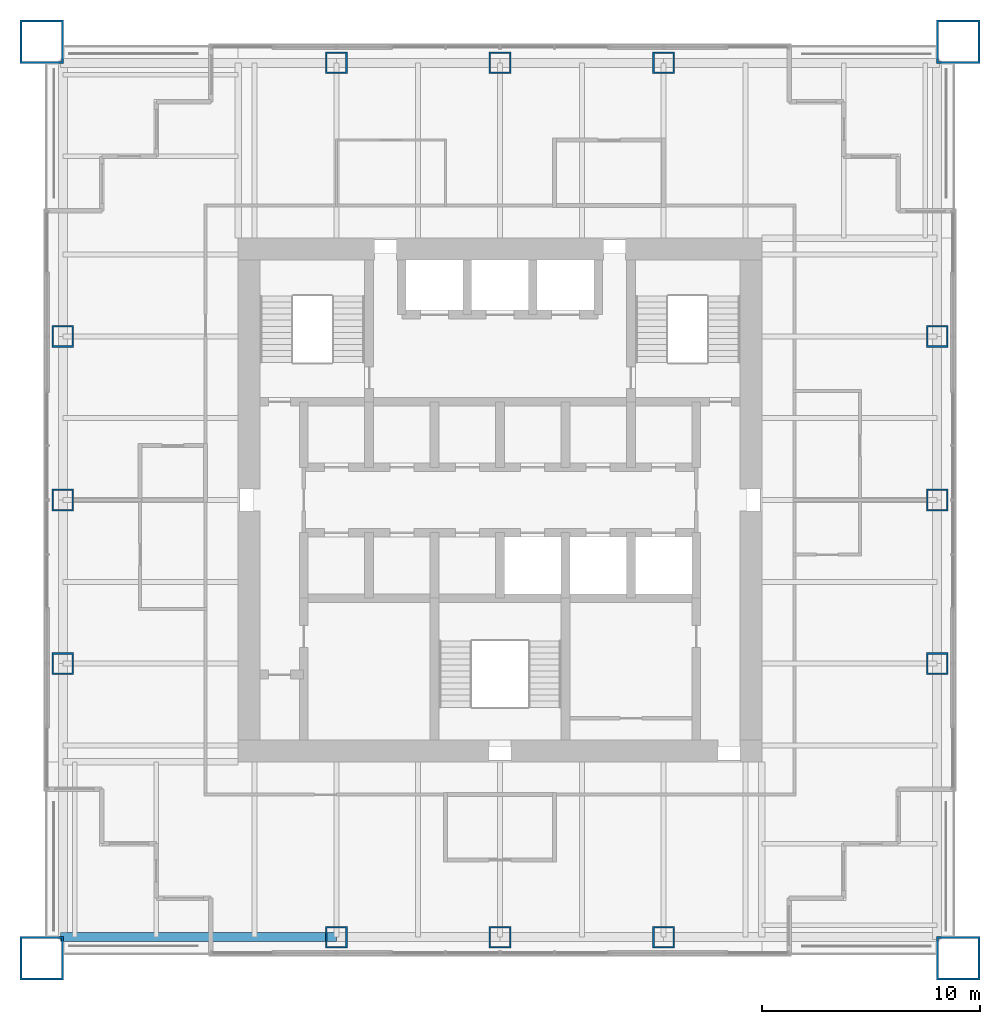
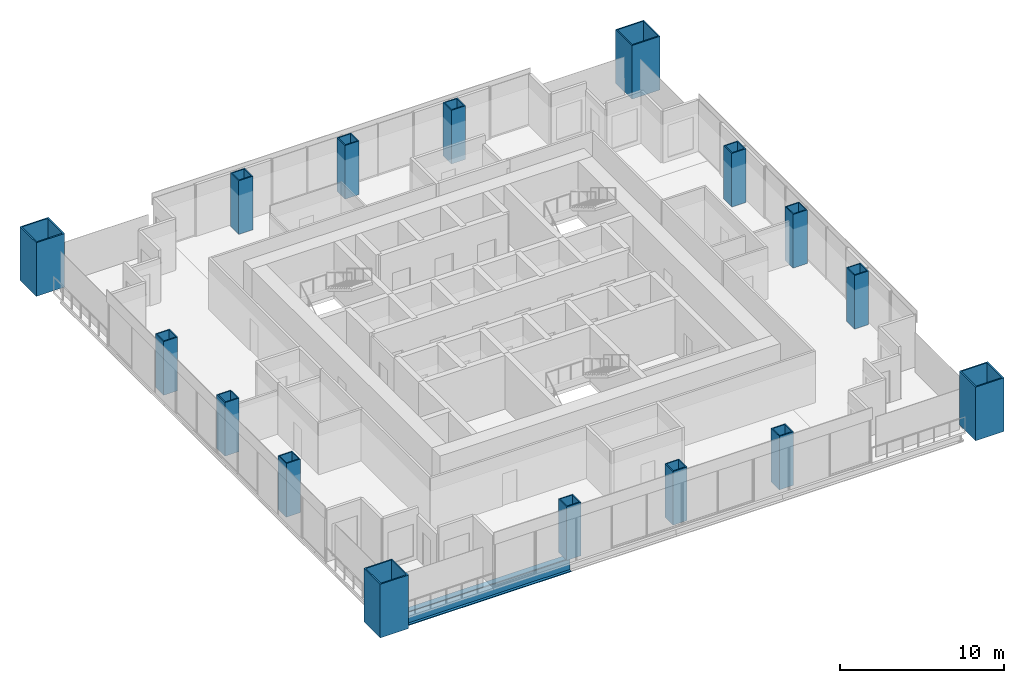
# One storey, part 1 of 14: 16 columns, 1 beam.
"""IFC4 building model written with IfcOpenShell, lengths in metres."""

import ifcopenshell
import ifcopenshell.guid

model = None  # the IFC model being written
_history = None  # IfcOwnerHistory: only IFC2X3 demands one
_inside = {}  # id of a spatial element -> (the spatial element, [elements in it])
_under = {}  # id of a project, library or spatial element -> (it, [spatial elements below it])
_declared = {}  # id of a project -> (the project, [libraries it declares])
_typed = {}  # id of a type object -> (the type object, [elements of that type])
_made_of = {}  # id of a material, layer set ... -> (it, [elements and type objects made of it])


def new_model(schema):
    """Start an empty IFC model of exactly this schema.

    Asked for "IFC4X3", IfcOpenShell would pick the latest addendum, in which some entities
    have other attributes; the version numbers below select the first issue.
    IFC2X3 requires an IfcOwnerHistory on every rooted entity: one is made here for all.
    """
    global model, _history
    if schema == "IFC4X3":
        model = ifcopenshell.file(schema_version=(4, 3, 0, 0))
    else:
        model = ifcopenshell.file(schema=schema)
    _inside.clear()
    _under.clear()
    _declared.clear()
    _typed.clear()
    _made_of.clear()
    _history = None
    if model.schema == "IFC2X3":
        org = make("IfcOrganization", Name="unknown")
        user = make(
            "IfcPersonAndOrganization",
            ThePerson=make("IfcPerson", FamilyName="unknown"),
            TheOrganization=org,
        )
        app = make(
            "IfcApplication",
            ApplicationDeveloper=org,
            Version="unknown",
            ApplicationFullName="unknown",
            ApplicationIdentifier="unknown",
        )
        _history = make(
            "IfcOwnerHistory",
            OwningUser=user,
            OwningApplication=app,
            ChangeAction="ADDED",
            CreationDate=0,
        )
    return model


def make(cls, **values):
    """One entity of the class cls with the attributes given. An attribute that is None is left unset."""
    return model.create_entity(
        cls, **{name: value for name, value in values.items() if value is not None}
    )


def rooted(cls, **values):
    """An entity with a GlobalId (a new one), such as an element, a storey or a relation."""
    return make(cls, GlobalId=ifcopenshell.guid.new(), OwnerHistory=_history, **values)


def si_unit(unit_type, name, prefix=None):
    """IfcSIUnit, for example si_unit("LENGTHUNIT", "METRE", prefix="MILLI")."""
    return make("IfcSIUnit", UnitType=unit_type, Prefix=prefix, Name=name)


def assignment(units):
    """IfcUnitAssignment: the units of a project."""
    return None if units is None else make("IfcUnitAssignment", Units=units)


def point(xyz):
    """IfcCartesianPoint."""
    return None if xyz is None else make("IfcCartesianPoint", Coordinates=xyz)


def direction(xyz):
    """IfcDirection."""
    return None if xyz is None else make("IfcDirection", DirectionRatios=xyz)


def frame(location, z_axis=None, x_axis=None):
    """IfcAxis2Placement3D, a coordinate frame: its origin and axes. An axis left out is left unset."""
    return make(
        "IfcAxis2Placement3D",
        Location=point(location),
        Axis=direction(z_axis),
        RefDirection=direction(x_axis),
    )


def frame_2d(location, x_axis=None):
    """IfcAxis2Placement2D, a coordinate frame in the plane: its origin and x axis."""
    return make(
        "IfcAxis2Placement2D", Location=point(location), RefDirection=direction(x_axis)
    )


def origin():
    """The frame at (0, 0, 0) with its axes left unset."""
    return frame((0.0, 0.0, 0.0))


def origin_2d():
    """The frame at (0, 0) in the plane with its x axis left unset."""
    return frame_2d((0.0, 0.0))


def place(relative_to, where):
    """IfcLocalPlacement: puts the frame where relative to a parent placement (None: the world)."""
    return make(
        "IfcLocalPlacement", PlacementRelTo=relative_to, RelativePlacement=where
    )


def context(
    kind, dimensions, precision=None, world=None, true_north=None, identifier=None
):
    """IfcGeometricRepresentationContext, for example the 3D "Model" context."""
    return make(
        "IfcGeometricRepresentationContext",
        ContextIdentifier=identifier,
        ContextType=kind,
        CoordinateSpaceDimension=dimensions,
        Precision=precision,
        WorldCoordinateSystem=world,
        TrueNorth=true_north,
    )


def subcontext(parent, identifier, kind, view, scale=None):
    """IfcGeometricRepresentationSubContext, for example "Body" below "Model"."""
    return make(
        "IfcGeometricRepresentationSubContext",
        ContextIdentifier=identifier,
        ContextType=kind,
        ParentContext=parent,
        TargetScale=scale,
        TargetView=view,
    )


def project(units=None, contexts=None):
    """IfcProject with its units and contexts."""
    return rooted(
        "IfcProject",
        Name="project",
        RepresentationContexts=contexts,
        UnitsInContext=assignment(units),
    )


def spatial(cls, under=None, at=None, **own):
    """A site, building, storey or space (cls), placed at a placement, below another one or the project."""
    s = rooted(cls, ObjectPlacement=at, **own)
    if under is not None:
        _under.setdefault(under.id(), (under, []))[1].append(s)
    return s


def profile(cls, at=None, kind="AREA", **sizes):
    """A parametric profile (cls). Its sizes go by their IFC names, for example OverallWidth=200.0."""
    return make(cls, ProfileType=kind, Position=at, **sizes)


def hollow_rectangle(**sizes):
    """IfcRectangleHollowProfileDef."""
    return profile("IfcRectangleHollowProfileDef", **sizes)


def i_section(**sizes):
    """IfcIShapeProfileDef."""
    return profile("IfcIShapeProfileDef", **sizes)


def extrude(swept, where, along, depth):
    """IfcExtrudedAreaSolid: the profile swept, set in the frame where, extruded along a direction by depth."""
    return make(
        "IfcExtrudedAreaSolid",
        SweptArea=swept,
        Position=where,
        ExtrudedDirection=direction(along),
        Depth=depth,
    )


def shape(context_of_items, identifier, shape_type, items):
    """IfcShapeRepresentation: the items that make up one representation, for example the "Body"."""
    return make(
        "IfcShapeRepresentation",
        ContextOfItems=context_of_items,
        RepresentationIdentifier=identifier,
        RepresentationType=shape_type,
        Items=items,
    )


def material(Name=None, Category=None):
    """IfcMaterial."""
    return make("IfcMaterial", Name=Name, Category=Category)


def material_profile(
    of_material, cross_section, Name=None, Category=None, Priority=None
):
    """IfcMaterialProfile: a cross section and its material."""
    return make(
        "IfcMaterialProfile",
        Name=Name,
        Material=of_material,
        Profile=cross_section,
        Priority=Priority,
        Category=Category,
    )


def profile_set(profiles, Name=None, composite=None):
    """IfcMaterialProfileSet."""
    return make(
        "IfcMaterialProfileSet",
        Name=Name,
        MaterialProfiles=profiles,
        CompositeProfile=composite,
    )


def made_of(thing, what):
    """Note that an element or type object is made of a material, layer set ...; save() writes the relation."""
    if what is not None:
        _made_of.setdefault(what.id(), (what, []))[1].append(thing)
    return thing


def type_object(cls, material=None, **own):
    """A type object (cls), such as IfcWallType, which elements share."""
    return made_of(rooted(cls, **own), material)


def element(
    cls,
    number,
    at=None,
    inside=None,
    cuts=None,
    type_object=None,
    material=None,
    context=None,
    identifier="Body",
    shape_type=None,
    held_by="IfcProductDefinitionShape",
    body=None,
    shapes=None,
    **own,
):
    """One element of the class cls, such as IfcWall. Its Tag is "e" and its number.

    at: its placement. inside: the storey or other place that contains it. cuts: it is an
    opening in that element (IfcRelVoidsElement). A single representation is given by context,
    identifier, shape_type and body (its items); several are given by shapes. held_by: the class
    of the entity that holds the representations. save() writes the other relations.
    """
    e = rooted(cls, Tag="e%d" % number, ObjectPlacement=at, **own)
    if body is not None:
        shapes = [shape(context, identifier, shape_type, body)]
    if shapes is not None:
        e.Representation = make(held_by, Representations=shapes)
    if inside is not None:
        _inside.setdefault(inside.id(), (inside, []))[1].append(e)
    if cuts is not None:
        rooted(
            "IfcRelVoidsElement", RelatingBuildingElement=cuts, RelatedOpeningElement=e
        )
    if type_object is not None:
        _typed.setdefault(type_object.id(), (type_object, []))[1].append(e)
    return made_of(e, material)


def aggregate(whole, parts):
    """IfcRelAggregates: a whole, such as a stair, and the parts it consists of."""
    return rooted("IfcRelAggregates", RelatingObject=whole, RelatedObjects=parts)


def save(model, path):
    """Write the relations noted so far, then the file.

    IfcRelAggregates (storeys below a building ...), IfcRelContainedInSpatialStructure (elements
    in a storey), IfcRelDefinesByType, IfcRelAssociatesMaterial and IfcRelDeclares: one each for
    every whole, place, type object, material and project.
    """
    for whole, parts in _under.values():
        aggregate(whole, parts)
    for where, things in _inside.values():
        rooted(
            "IfcRelContainedInSpatialStructure",
            RelatedElements=things,
            RelatingStructure=where,
        )
    for kind, things in _typed.values():
        rooted("IfcRelDefinesByType", RelatedObjects=things, RelatingType=kind)
    for what, things in _made_of.values():
        rooted("IfcRelAssociatesMaterial", RelatedObjects=things, RelatingMaterial=what)
    for by, libraries in _declared.values():
        rooted("IfcRelDeclares", RelatingContext=by, RelatedDefinitions=libraries)
    model.write(path)


model = new_model("IFC4")

# Units and contexts
model_context = context("Model", 3, precision=1e-05, world=origin(), true_north=direction((0.0, 1.0)))
body_context = subcontext(model_context, "Body", "Model", "MODEL_VIEW")
ifc_project = project(units=[si_unit("LENGTHUNIT", "METRE"), si_unit("AREAUNIT", "SQUARE_METRE"), si_unit("VOLUMEUNIT", "CUBIC_METRE"), si_unit("PLANEANGLEUNIT", "RADIAN"), si_unit("MASSUNIT", "GRAM", prefix="KILO")], contexts=[model_context])

# Site, building, storey
site_placement = place(None, origin())
site = spatial("IfcSite", under=ifc_project, at=site_placement, CompositionType="ELEMENT")
building_placement = place(site_placement, origin())
building = spatial("IfcBuilding", under=site, at=building_placement, Name="Tarangal Relay Tower", CompositionType="ELEMENT")
storey_placement = place(building_placement, frame((0.0, 0.0, 283.89990234375)))
storey = spatial("IfcBuildingStorey", under=building, at=storey_placement, Name="L62", CompositionType="ELEMENT", Elevation=283.89990234375)

# Columns
ifc_material_1 = material(Name="Steel ASTM A572 Grade 50", Category="steel")
ifc_material_profile_1 = material_profile(ifc_material_1, hollow_rectangle(XDim=2.0, YDim=2.0, WallThickness=0.094970703125, at=origin_2d()), Name="BOX2000X2000X95")
ifc_profile_set_1 = profile_set([ifc_material_profile_1], Name="Steel ASTM A572 Grade 50")
column_type_1 = type_object("IfcColumnType", Name="Mega column BOX2000X2000X95", PredefinedType="COLUMN", material=ifc_profile_set_1)
for number, where, z_axis, x_axis, name in (
    (1, (21.0, 21.0, 0.0), (0.0, 0.0, 1.0), (1.0, 0.0, 0.0), "Mega column MC4 NE L62"),
    (2, (21.0, -21.0, 0.0), (0.0, 0.0, 1.0), (1.0, 0.0, 0.0), "Mega column MC4 SE L62"),
    (3, (-21.0, -21.0, 0.0), (0.0, 0.0, 1.0), (1.0, 0.0, 0.0), "Mega column MC4 SW L62"),
    (4, (-21.0, 21.0, 0.0), (0.0, 0.0, 1.0), (1.0, 0.0, 0.0), "Mega column MC4 NW L62"),
):
    element("IfcColumn", number, at=place(storey_placement, frame(where, z_axis=z_axis, x_axis=x_axis)), inside=storey, type_object=column_type_1, Name=name, PredefinedType="COLUMN", context=body_context, shape_type="SweptSolid", body=[
        extrude(hollow_rectangle(XDim=2.0, YDim=2.0, WallThickness=0.094970703125, at=origin_2d()), origin(), (0.0, 0.0, 1.0), 4.0),
    ])
ifc_material_profile_2 = material_profile(ifc_material_1, hollow_rectangle(XDim=1.0, YDim=1.0, WallThickness=0.074951171875, at=origin_2d()), Name="BOX1000X1000X75")
ifc_profile_set_2 = profile_set([ifc_material_profile_2], Name="Steel ASTM A572 Grade 50")
column_type_2 = type_object("IfcColumnType", Name="Perimeter column BOX1000X1000X75", PredefinedType="COLUMN", material=ifc_profile_set_2)
for number, where, z_axis, x_axis, name in (
    (5, (-7.5, 20.0400390625, 0.0), (0.0, 0.0, 1.0), (1.0, 0.0, 0.0), "Perimeter column PC5 N L62"),
    (6, (0.0, 20.0400390625, 0.0), (0.0, 0.0, 1.0), (1.0, 0.0, 0.0), "Perimeter column PC5 N L62"),
    (7, (7.5, 20.0400390625, 0.0), (0.0, 0.0, 1.0), (1.0, 0.0, 0.0), "Perimeter column PC5 N L62"),
    (8, (20.0400390625, 7.5, 0.0), (0.0, 0.0, 1.0), (1.0, 0.0, 0.0), "Perimeter column PC5 E L62"),
    (9, (20.0400390625, 0.0, 0.0), (0.0, 0.0, 1.0), (1.0, 0.0, 0.0), "Perimeter column PC5 E L62"),
    (10, (20.0400390625, -7.5, 0.0), (0.0, 0.0, 1.0), (1.0, 0.0, 0.0), "Perimeter column PC5 E L62"),
    (11, (7.5, -20.0400390625, 0.0), (0.0, 0.0, 1.0), (1.0, 0.0, 0.0), "Perimeter column PC5 S L62"),
    (12, (0.0, -20.0400390625, 0.0), (0.0, 0.0, 1.0), (1.0, 0.0, 0.0), "Perimeter column PC5 S L62"),
    (13, (-7.5, -20.0400390625, 0.0), (0.0, 0.0, 1.0), (1.0, 0.0, 0.0), "Perimeter column PC5 S L62"),
    (14, (-20.0400390625, -7.5, 0.0), (0.0, 0.0, 1.0), (1.0, 0.0, 0.0), "Perimeter column PC5 W L62"),
    (15, (-20.0400390625, 0.0, 0.0), (0.0, 0.0, 1.0), (1.0, 0.0, 0.0), "Perimeter column PC5 W L62"),
    (16, (-20.0400390625, 7.5, 0.0), (0.0, 0.0, 1.0), (1.0, 0.0, 0.0), "Perimeter column PC5 W L62"),
):
    element("IfcColumn", number, at=place(storey_placement, frame(where, z_axis=z_axis, x_axis=x_axis)), inside=storey, type_object=column_type_2, Name=name, PredefinedType="COLUMN", context=body_context, shape_type="SweptSolid", body=[
        extrude(hollow_rectangle(XDim=1.0, YDim=1.0, WallThickness=0.074951171875, at=origin_2d()), origin(), (0.0, 0.0, 1.0), 4.0),
    ])

# Beam
ifc_material_2 = material(Name="Steel ASTM A992", Category="steel")
ifc_material_profile_3 = material_profile(ifc_material_2, i_section(OverallWidth=0.41162109375, OverallDepth=1.049072265625, WebThickness=0.033935546875, FlangeThickness=0.059814453125, at=origin_2d()), Name="W40X431")
ifc_profile_set_3 = profile_set([ifc_material_profile_3], Name="Steel ASTM A992")
beam_type = type_object("IfcBeamType", Name="Edge girder W40X431", PredefinedType="SPANDREL", material=ifc_profile_set_3)
beam_placement = place(storey_placement, frame((-7.5, -20.0400390625, -0.67431640625), z_axis=(-1.0, 0.0, 0.0), x_axis=(0.0, -1.0, 0.0)))
element("IfcBeam", 17, at=beam_placement, inside=storey, type_object=beam_type, Name="Edge girder EG1 S L62", PredefinedType="SPANDREL", context=body_context, shape_type="SweptSolid", body=[
    extrude(i_section(OverallWidth=0.41162109375, OverallDepth=1.049072265625, WebThickness=0.033935546875, FlangeThickness=0.059814453125, at=origin_2d()), origin(), (0.0, 0.0, 1.0), 12.64990234375),
])

save(model, "model.ifc")
